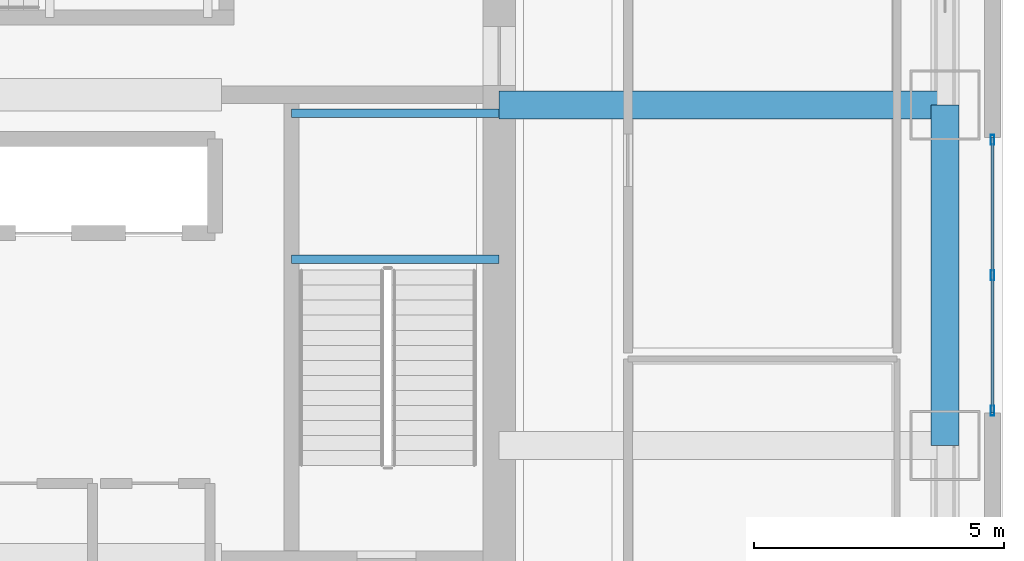
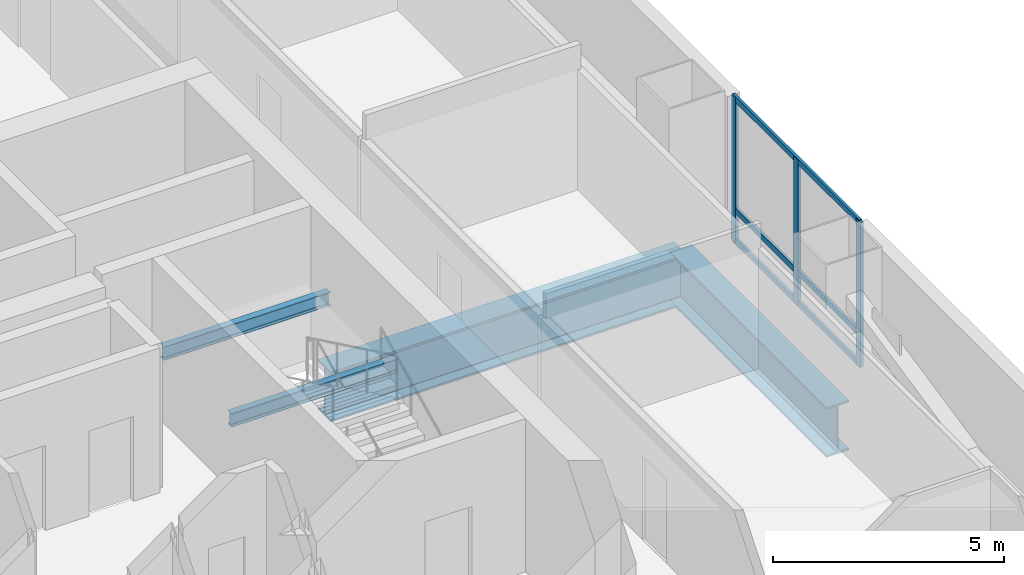
# One storey, part 6 of 32: 6 members, 4 beams, 1 element without a shape of its own.
"""IFC4 building model written with IfcOpenShell, lengths in metres."""

from ifc_helpers import new_model, si_unit, direction, frame, origin, origin_2d, place, context, subcontext, project, spatial, hollow_rectangle, i_section, extrude, material, material_profile, profile_set, type_object, element, aggregate, save


model = new_model("IFC4")

# Units and contexts
model_context = context("Model", 3, precision=1e-05, world=origin(), true_north=direction((0.0, 1.0)))
body_context = subcontext(model_context, "Body", "Model", "MODEL_VIEW")
ifc_project = project(units=[si_unit("LENGTHUNIT", "METRE"), si_unit("AREAUNIT", "SQUARE_METRE"), si_unit("VOLUMEUNIT", "CUBIC_METRE"), si_unit("PLANEANGLEUNIT", "RADIAN"), si_unit("MASSUNIT", "GRAM", prefix="KILO")], contexts=[model_context])

# Site, building, storey
site_placement = place(None, origin())
site = spatial("IfcSite", under=ifc_project, at=site_placement, CompositionType="ELEMENT")
building_placement = place(site_placement, origin())
building = spatial("IfcBuilding", under=site, at=building_placement, Name="Punatoya Terracotta Tower", CompositionType="ELEMENT")
storey_placement = place(building_placement, frame((0.0, 0.0, 139.800048828125)))
storey = spatial("IfcBuildingStorey", under=building, at=storey_placement, Name="L32", CompositionType="ELEMENT", Elevation=139.800048828125)

# Beams
ifc_material_1 = material(Name="Steel S355", Category="steel")
ifc_material_profile_1 = material_profile(ifc_material_1, i_section(OverallWidth=0.169921875, OverallDepth=0.360107421875, WebThickness=0.008056640625, FlangeThickness=0.0126953125, FilletRadius=0.01806640625, at=origin_2d()))
ifc_profile_set_1 = profile_set([ifc_material_profile_1], Name="Steel S355")
beam_type_1 = type_object("IfcBeamType", Name="BM-SEC-360", PredefinedType="JOIST", material=ifc_profile_set_1)
for number, where, z_axis, x_axis, name in (
    (1, (6.050048828125, 0.320068359375, 1.64501953125), (1.0, 0.0, 0.0), (0.0, 1.0, 0.0), "BM-L32-ST-2-LD1A"),
    (2, (6.050048828125, 3.22998046875, 1.64501953125), (1.0, 0.0, 0.0), (0.0, 1.0, 0.0), "BM-L32-ST-2-LD1B"),
):
    element("IfcBeam", number, at=place(storey_placement, frame(where, z_axis=z_axis, x_axis=x_axis)), inside=storey, type_object=beam_type_1, Name=name, PredefinedType="JOIST", context=body_context, shape_type="SweptSolid", body=[
        extrude(i_section(OverallWidth=0.169921875, OverallDepth=0.360107421875, WebThickness=0.008056640625, FlangeThickness=0.0126953125, FilletRadius=0.01806640625, at=origin_2d()), origin(), (0.0, 0.0, 1.0), 4.14990234375),
    ])
ifc_material_2 = material(Name="Steel S460", Category="steel")
ifc_material_profile_2 = material_profile(ifc_material_2, i_section(OverallWidth=0.56005859375, OverallDepth=1.320068359375, WebThickness=0.035888671875, FlangeThickness=0.054931640625, FilletRadius=0.01806640625, at=origin_2d()))
ifc_profile_set_2 = profile_set([ifc_material_profile_2], Name="Steel S460")
beam_type_2 = type_object("IfcBeamType", Name="BM-TG-BLK", PredefinedType="BEAM", material=ifc_profile_set_2)
beam_1_placement = place(storey_placement, frame((19.10009765625, -3.39990234375, -0.93994140625), z_axis=(0.0, 1.0, 0.0), x_axis=(-1.0, 0.0, 0.0)))
element("IfcBeam", 3, at=beam_1_placement, inside=storey, type_object=beam_type_2, Name="BM-L32-RG-E2", PredefinedType="BEAM", context=body_context, shape_type="SweptSolid", body=[
    extrude(i_section(OverallWidth=0.56005859375, OverallDepth=1.320068359375, WebThickness=0.035888671875, FlangeThickness=0.054931640625, FilletRadius=0.01806640625, at=origin_2d()), origin(), (0.0, 0.0, 1.0), 6.7998046875),
])
beam_2_placement = place(storey_placement, frame((10.199951171875, 3.39990234375, -0.93994140625), z_axis=(1.0, 0.0, 0.0), x_axis=(0.0, 1.0, 0.0)))
element("IfcBeam", 4, at=beam_2_placement, inside=storey, type_object=beam_type_2, Name="BM-L32-PR-EE", PredefinedType="BEAM", context=body_context, shape_type="SweptSolid", body=[
    extrude(i_section(OverallWidth=0.56005859375, OverallDepth=1.320068359375, WebThickness=0.035888671875, FlangeThickness=0.054931640625, FilletRadius=0.01806640625, at=origin_2d()), origin(), (0.0, 0.0, 1.0), 8.900146484375),
])

# Curtain wall, members
ifc_material_3 = material(Name="Aluminium 6063-T6 + Double Low-E Glass", Category="aluminium")
curtain_wall_type = type_object("IfcCurtainWallType", Name="CW-M2", PredefinedType="NOTDEFINED", material=ifc_material_3)
curtain_wall_placement = place(storey_placement, origin())
curtain_wall = element("IfcCurtainWall", 5, at=curtain_wall_placement, inside=storey, type_object=curtain_wall_type, Name="L32 Curtain Wall CW-L32-E05-1", PredefinedType="NOTDEFINED")
ifc_material_4 = material(Name="Aluminium 6063-T6", Category="aluminium")
ifc_material_profile_3 = material_profile(ifc_material_4, hollow_rectangle(XDim=0.072021484375, YDim=0.195068359375, WallThickness=0.00439453125, at=origin_2d()))
ifc_profile_set_3 = profile_set([ifc_material_profile_3], Name="Aluminium 6063-T6")
member_type_1 = type_object("IfcMemberType", Name="CW-MUL-M2", PredefinedType="MULLION", material=ifc_profile_set_3)
member_1_placement = place(storey_placement, frame((20.050048828125, -2.705078125, 0.0), z_axis=(0.0, 0.0, 1.0), x_axis=(1.0, 0.0, 0.0)))
member_1 = element("IfcMember", 6, at=member_1_placement, type_object=member_type_1, Name="CW-L32-E05-1 Mullion 00", PredefinedType="MULLION", context=body_context, shape_type="SweptSolid", body=[
    extrude(hollow_rectangle(XDim=0.072021484375, YDim=0.195068359375, WallThickness=0.00439453125, at=origin_2d()), origin(), (0.0, 0.0, 1.0), 3.829833984375),
])
member_2_placement = place(storey_placement, frame((20.050048828125, 0.0, 0.0), z_axis=(0.0, 0.0, 1.0), x_axis=(1.0, 0.0, 0.0)))
member_2 = element("IfcMember", 7, at=member_2_placement, type_object=member_type_1, Name="CW-L32-E05-1 Mullion 01", PredefinedType="MULLION", context=body_context, shape_type="SweptSolid", body=[
    extrude(hollow_rectangle(XDim=0.072021484375, YDim=0.195068359375, WallThickness=0.00439453125, at=origin_2d()), origin(), (0.0, 0.0, 1.0), 3.829833984375),
])
member_3_placement = place(storey_placement, frame((20.050048828125, 2.705078125, 0.0), z_axis=(0.0, 0.0, 1.0), x_axis=(1.0, 0.0, 0.0)))
member_3 = element("IfcMember", 8, at=member_3_placement, type_object=member_type_1, Name="CW-L32-E05-1 Mullion 02", PredefinedType="MULLION", context=body_context, shape_type="SweptSolid", body=[
    extrude(hollow_rectangle(XDim=0.072021484375, YDim=0.195068359375, WallThickness=0.00439453125, at=origin_2d()), origin(), (0.0, 0.0, 1.0), 3.829833984375),
])
ifc_material_profile_4 = material_profile(ifc_material_4, hollow_rectangle(XDim=0.068115234375, YDim=0.14990234375, WallThickness=0.00390625, at=origin_2d()))
ifc_profile_set_4 = profile_set([ifc_material_profile_4], Name="Aluminium 6063-T6")
member_type_2 = type_object("IfcMemberType", Name="CW-TRN-TYP", PredefinedType="USERDEFINED", material=ifc_profile_set_4)
member_4_placement = place(storey_placement, frame((20.050048828125, -2.75, 0.0400390625), z_axis=(0.0, 1.0, 0.0), x_axis=(-1.0, 0.0, 0.0)))
member_4 = element("IfcMember", 9, at=member_4_placement, type_object=member_type_2, Name="CW-L32-E05-1 Transom 1", ObjectType="TRANSOM", PredefinedType="USERDEFINED", context=body_context, shape_type="SweptSolid", body=[
    extrude(hollow_rectangle(XDim=0.068115234375, YDim=0.14990234375, WallThickness=0.00390625, at=origin_2d()), origin(), (0.0, 0.0, 1.0), 5.5),
])
member_5_placement = place(storey_placement, frame((20.050048828125, -2.75, 0.849853515625), z_axis=(0.0, 1.0, 0.0), x_axis=(-1.0, 0.0, 0.0)))
member_5 = element("IfcMember", 10, at=member_5_placement, type_object=member_type_2, Name="CW-L32-E05-1 Transom 2", ObjectType="TRANSOM", PredefinedType="USERDEFINED", context=body_context, shape_type="SweptSolid", body=[
    extrude(hollow_rectangle(XDim=0.068115234375, YDim=0.14990234375, WallThickness=0.00390625, at=origin_2d()), origin(), (0.0, 0.0, 1.0), 5.5),
])
member_6_placement = place(storey_placement, frame((20.050048828125, -2.75, 3.7900390625), z_axis=(0.0, 1.0, 0.0), x_axis=(-1.0, 0.0, 0.0)))
member_6 = element("IfcMember", 11, at=member_6_placement, type_object=member_type_2, Name="CW-L32-E05-1 Transom 3", ObjectType="TRANSOM", PredefinedType="USERDEFINED", context=body_context, shape_type="SweptSolid", body=[
    extrude(hollow_rectangle(XDim=0.068115234375, YDim=0.14990234375, WallThickness=0.00390625, at=origin_2d()), origin(), (0.0, 0.0, 1.0), 5.5),
])
aggregate(curtain_wall, [member_1, member_2, member_3, member_4, member_5, member_6])

save(model, "model.ifc")
